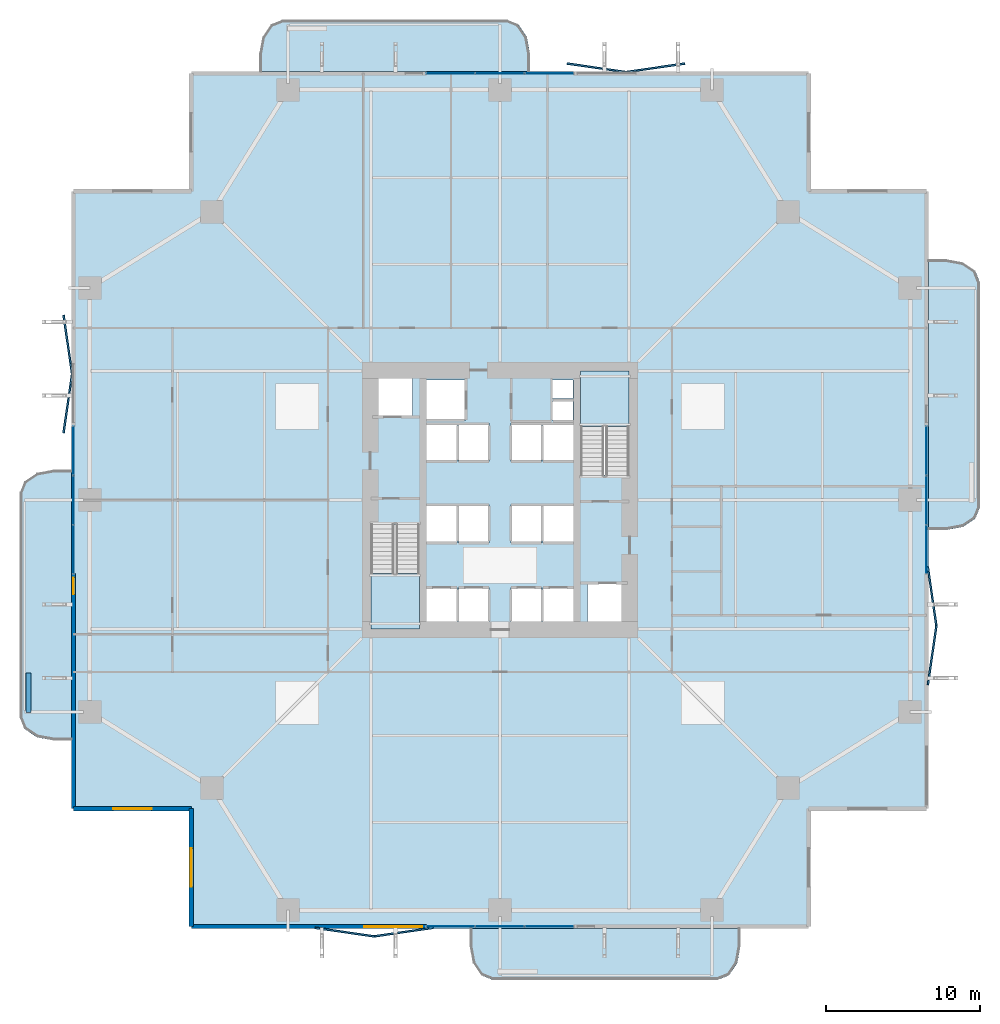
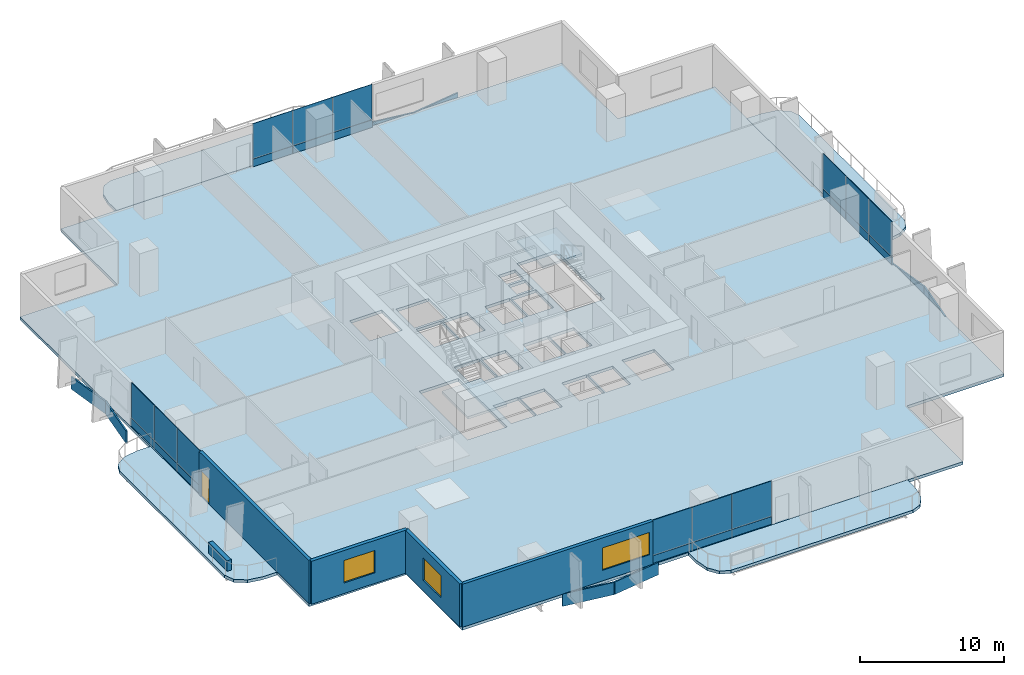
# One storey, part 16 of 24: 32 plates, 7 slabs, 5 walls, 3 windows, 1 door, 4 openings, 6 elements without a shape of their own.
"""IFC4 building model written with IfcOpenShell, lengths in metres."""

from ifc_helpers import new_model, si_unit, direction, frame, frame_2d, origin, origin_2d, place, context, subcontext, project, spatial, polyline, rectangle, outline, extrude, material, layer, layer_set, type_object, element, fill, aggregate, save


model = new_model("IFC4")

# Units and contexts
model_context = context("Model", 3, precision=1e-05, world=origin(), true_north=direction((0.0, 1.0)))
body_context = subcontext(model_context, "Body", "Model", "MODEL_VIEW")
ifc_project = project(units=[si_unit("LENGTHUNIT", "METRE"), si_unit("AREAUNIT", "SQUARE_METRE"), si_unit("VOLUMEUNIT", "CUBIC_METRE"), si_unit("PLANEANGLEUNIT", "RADIAN"), si_unit("MASSUNIT", "GRAM", prefix="KILO")], contexts=[model_context])

# Site, building, storey
site_placement = place(None, origin())
site = spatial("IfcSite", under=ifc_project, at=site_placement, CompositionType="ELEMENT")
building_placement = place(site_placement, origin())
building = spatial("IfcBuilding", under=site, at=building_placement, Name="Belovzor Exchange Tower", CompositionType="ELEMENT")
storey_placement = place(building_placement, frame((0.0, 0.0, 72.89990234375)))
storey = spatial("IfcBuildingStorey", under=building, at=storey_placement, Name="L17", CompositionType="ELEMENT", Elevation=72.89990234375)

# Slab
ifc_material_1 = material(Name="Concrete C40/50", Category="concrete")
ifc_layer_1 = layer(ifc_material_1, 0.25)
ifc_layer_set_1 = layer_set([ifc_layer_1], Name="Concrete C40/50")
slab_type_1 = type_object("IfcSlabType", Name="Composite Concrete Floor Deck Slab 250", PredefinedType="FLOOR", material=ifc_layer_set_1)
slab_1_placement = place(storey_placement, frame((0.0, 0.0, -0.25)))
element("IfcSlab", 1, at=slab_1_placement, inside=storey, type_object=slab_type_1, Name="SL-F250 Structural Slab L17", PredefinedType="FLOOR", context=body_context, shape_type="SweptSolid", body=[
    extrude(outline(polyline([(8.699951171875, 0.89990234375), (48.89990234375, 0.89990234375), (48.89990234375, 8.699951171875), (56.699951171875, 8.699951171875), (56.699951171875, 48.89990234375), (48.89990234375, 48.89990234375), (48.89990234375, 56.699951171875), (8.699951171875, 56.699951171875), (8.699951171875, 48.89990234375), (0.89990234375, 48.89990234375), (0.89990234375, 8.699951171875), (8.699951171875, 8.699951171875), (8.699951171875, 0.89990234375)]), holes=[polyline([(20.39990234375, 27.175048828125), (20.39990234375, 20.39990234375), (23.550048828125, 20.39990234375), (23.550048828125, 27.175048828125), (20.39990234375, 27.175048828125)]), polyline([(37.199951171875, 30.425048828125), (37.199951171875, 37.199951171875), (34.050048828125, 37.199951171875), (34.050048828125, 30.425048828125), (37.199951171875, 30.425048828125)]), polyline([(20.5, 34.199951171875), (23.10009765625, 34.199951171875), (23.10009765625, 37.0), (20.5, 37.0), (20.5, 34.199951171875)]), polyline([(34.5, 20.60009765625), (37.10009765625, 20.60009765625), (37.10009765625, 23.39990234375), (34.5, 23.39990234375), (34.5, 20.60009765625)]), polyline([(24.0, 34.0), (26.60009765625, 34.0), (26.60009765625, 36.60009765625), (24.0, 36.60009765625), (24.0, 34.0)]), polyline([(24.0, 20.60009765625), (26.0, 20.60009765625), (26.0, 23.10009765625), (24.0, 23.10009765625), (24.0, 20.60009765625)]), polyline([(26.10009765625, 20.60009765625), (28.10009765625, 20.60009765625), (28.10009765625, 23.10009765625), (26.10009765625, 23.10009765625), (26.10009765625, 20.60009765625)]), polyline([(29.5, 20.60009765625), (31.5, 20.60009765625), (31.5, 23.10009765625), (29.5, 23.10009765625), (29.5, 20.60009765625)]), polyline([(31.60009765625, 20.60009765625), (33.60009765625, 20.60009765625), (33.60009765625, 23.10009765625), (31.60009765625, 23.10009765625), (31.60009765625, 20.60009765625)]), polyline([(24.0, 26.0), (26.0, 26.0), (26.0, 28.5), (24.0, 28.5), (24.0, 26.0)]), polyline([(26.10009765625, 26.0), (28.10009765625, 26.0), (28.10009765625, 28.5), (26.10009765625, 28.5), (26.10009765625, 26.0)]), polyline([(29.5, 26.0), (31.5, 26.0), (31.5, 28.5), (29.5, 28.5), (29.5, 26.0)]), polyline([(31.60009765625, 26.0), (33.60009765625, 26.0), (33.60009765625, 28.5), (31.60009765625, 28.5), (31.60009765625, 26.0)]), polyline([(24.0, 31.300048828125), (26.0, 31.300048828125), (26.0, 33.800048828125), (24.0, 33.800048828125), (24.0, 31.300048828125)]), polyline([(26.10009765625, 31.300048828125), (28.10009765625, 31.300048828125), (28.10009765625, 33.800048828125), (26.10009765625, 33.800048828125), (26.10009765625, 31.300048828125)]), polyline([(29.5, 31.300048828125), (31.5, 31.300048828125), (31.5, 33.800048828125), (29.5, 33.800048828125), (29.5, 31.300048828125)]), polyline([(31.60009765625, 31.300048828125), (33.60009765625, 31.300048828125), (33.60009765625, 33.800048828125), (31.60009765625, 33.800048828125), (31.60009765625, 31.300048828125)]), polyline([(32.199951171875, 34.0), (33.550048828125, 34.0), (33.550048828125, 35.199951171875), (32.199951171875, 35.199951171875), (32.199951171875, 34.0)]), polyline([(32.199951171875, 35.39990234375), (33.550048828125, 35.39990234375), (33.550048828125, 36.60009765625), (32.199951171875, 36.60009765625), (32.199951171875, 35.39990234375)])]), origin(), (0.0, 0.0, 1.0), 0.25),
])

# Plates
ifc_material_2 = material(Name="Extruded Architectural Terracotta", Category="masonry")
ifc_layer_2 = layer(ifc_material_2, 0.1201171875)
ifc_layer_set_2 = layer_set([ifc_layer_2], Name="Extruded Architectural Terracotta")
plate_type_1 = type_object("IfcPlateType", Name="Folded Zigzag Terracotta Spandrel Louvre 80", PredefinedType="USERDEFINED", material=ifc_layer_set_2)
for number, where, z_axis, x_axis, name in (
    (2, (18.699951171875, 0.6650390625, -1.03515625), (0.0, 0.0, 1.0), (0.989686419138, -0.143250800258, 0.0), "LVR-ZZ1 Zigzag Terracotta Spandrel Louvre L17 S1A"),
    (3, (22.5, 0.6650390625, -1.03515625), (0.0, 0.0, 1.0), (0.989686419138, 0.143250800258, 0.0), "LVR-ZZ1 Zigzag Terracotta Spandrel Louvre L17 S1B"),
    (4, (56.93505859375, 18.699951171875, -1.03515625), (0.0, 0.0, 1.0), (0.143250800258, 0.989686419138, 0.0), "LVR-ZZ1 Zigzag Terracotta Spandrel Louvre L17 E1A"),
    (5, (56.93505859375, 22.5, -1.03515625), (0.0, 0.0, 1.0), (-0.143250800258, 0.989686419138, 0.0), "LVR-ZZ1 Zigzag Terracotta Spandrel Louvre L17 E1B"),
    (6, (35.10009765625, 56.93505859375, -1.03515625), (0.0, 0.0, 1.0), (0.989686419138, -0.143250800258, 0.0), "LVR-ZZ1 Zigzag Terracotta Spandrel Louvre L17 N2A"),
    (7, (38.89990234375, 56.93505859375, -1.03515625), (0.0, 0.0, 1.0), (0.989686419138, 0.143250800258, 0.0), "LVR-ZZ1 Zigzag Terracotta Spandrel Louvre L17 N2B"),
    (8, (0.6650390625, 35.10009765625, -1.03515625), (0.0, 0.0, 1.0), (0.143250800258, 0.989686419138, 0.0), "LVR-ZZ1 Zigzag Terracotta Spandrel Louvre L17 W2A"),
    (9, (0.6650390625, 38.89990234375, -1.03515625), (0.0, 0.0, 1.0), (-0.143250800258, 0.989686419138, 0.0), "LVR-ZZ1 Zigzag Terracotta Spandrel Louvre L17 W2B"),
):
    element("IfcPlate", number, at=place(storey_placement, frame(where, z_axis=z_axis, x_axis=x_axis)), inside=storey, type_object=plate_type_1, Name=name, ObjectType="SPANDREL_LOUVRE", PredefinedType="USERDEFINED", context=body_context, shape_type="SweptSolid", body=[
        extrude(rectangle(XDim=3.919921875, YDim=0.1201171875, at=origin_2d()), origin(), (0.0, 0.0, 1.0), 1.050048828125),
    ])

# Curtain wall, plates
ifc_material_3 = material(Name="Anodised Aluminium Framing", Category="aluminium")
ifc_layer_3 = layer(ifc_material_3, 0.179931640625)
ifc_layer_set_3 = layer_set([ifc_layer_3], Name="Anodised Aluminium Framing")
curtain_wall_type = type_object("IfcCurtainWallType", Name="Recessed Loggia Low-Iron Triple-Glazed Curtain Wall", PredefinedType="NOTDEFINED", material=ifc_layer_set_3)
curtain_wall_1_placement = place(storey_placement, origin())
curtain_wall_1 = element("IfcCurtainWall", 10, at=curtain_wall_1_placement, inside=storey, type_object=curtain_wall_type, Name="CW3 Recessed Loggia Low-Iron Triple-Glazed Curtain Wall L17", PredefinedType="NOTDEFINED")
ifc_material_4 = material(Name="Solar-Control Triple Glazing", Category="glass")
ifc_layer_4 = layer(ifc_material_4, 0.0439453125)
ifc_layer_set_4 = layer_set([ifc_layer_4], Name="Solar-Control Triple Glazing")
plate_type_2 = type_object("IfcPlateType", Name="Insulated Solar Glazing Curtain Panel 44", PredefinedType="CURTAIN_PANEL", material=ifc_layer_set_4)
plate_1_placement = place(storey_placement, frame((32.0, 1.030029296875, 0.652099609375), z_axis=(0.0, 0.0, 1.0), x_axis=(-1.0, 0.0, 0.0)))
plate_1 = element("IfcPlate", 11, at=plate_1_placement, type_object=plate_type_2, Name="GLZ-44 Glazed Curtain Panel 1", PredefinedType="CURTAIN_PANEL", context=body_context, shape_type="SweptSolid", body=[
    extrude(rectangle(XDim=3.18408203125, YDim=0.0439453125, at=origin_2d()), origin(), (0.0, 0.0, 1.0), 2.998046875),
])
plate_2_placement = place(storey_placement, frame((28.800048828125, 1.030029296875, 0.652099609375), z_axis=(0.0, 0.0, 1.0), x_axis=(-1.0, 0.0, 0.0)))
plate_2 = element("IfcPlate", 12, at=plate_2_placement, type_object=plate_type_2, Name="GLZ-44 Glazed Curtain Panel 2", PredefinedType="CURTAIN_PANEL", context=body_context, shape_type="SweptSolid", body=[
    extrude(rectangle(XDim=3.18408203125, YDim=0.0439453125, at=origin_2d()), origin(), (0.0, 0.0, 1.0), 2.998046875),
])
plate_3_placement = place(storey_placement, frame((25.60009765625, 1.030029296875, 0.652099609375), z_axis=(0.0, 0.0, 1.0), x_axis=(-1.0, 0.0, 0.0)))
plate_3 = element("IfcPlate", 13, at=plate_3_placement, type_object=plate_type_2, Name="GLZ-44 Glazed Curtain Panel 3", PredefinedType="CURTAIN_PANEL", context=body_context, shape_type="SweptSolid", body=[
    extrude(rectangle(XDim=3.18408203125, YDim=0.0439453125, at=origin_2d()), origin(), (0.0, 0.0, 1.0), 2.998046875),
])

curtain_wall_2_placement = place(storey_placement, origin())
curtain_wall_2 = element("IfcCurtainWall", 14, at=curtain_wall_2_placement, inside=storey, type_object=curtain_wall_type, Name="CW3 Recessed Loggia Low-Iron Triple-Glazed Curtain Wall L17", PredefinedType="NOTDEFINED")
plate_4_placement = place(storey_placement, frame((25.60009765625, 56.570068359375, 0.652099609375), z_axis=(0.0, 0.0, 1.0), x_axis=(1.0, 0.0, 0.0)))
plate_4 = element("IfcPlate", 15, at=plate_4_placement, type_object=plate_type_2, Name="GLZ-44 Glazed Curtain Panel 1", PredefinedType="CURTAIN_PANEL", context=body_context, shape_type="SweptSolid", body=[
    extrude(rectangle(XDim=3.18408203125, YDim=0.0439453125, at=origin_2d()), origin(), (0.0, 0.0, 1.0), 2.998046875),
])
plate_5_placement = place(storey_placement, frame((28.800048828125, 56.570068359375, 0.652099609375), z_axis=(0.0, 0.0, 1.0), x_axis=(1.0, 0.0, 0.0)))
plate_5 = element("IfcPlate", 16, at=plate_5_placement, type_object=plate_type_2, Name="GLZ-44 Glazed Curtain Panel 2", PredefinedType="CURTAIN_PANEL", context=body_context, shape_type="SweptSolid", body=[
    extrude(rectangle(XDim=3.18408203125, YDim=0.0439453125, at=origin_2d()), origin(), (0.0, 0.0, 1.0), 2.998046875),
])
plate_6_placement = place(storey_placement, frame((32.0, 56.570068359375, 0.652099609375), z_axis=(0.0, 0.0, 1.0), x_axis=(1.0, 0.0, 0.0)))
plate_6 = element("IfcPlate", 17, at=plate_6_placement, type_object=plate_type_2, Name="GLZ-44 Glazed Curtain Panel 3", PredefinedType="CURTAIN_PANEL", context=body_context, shape_type="SweptSolid", body=[
    extrude(rectangle(XDim=3.18408203125, YDim=0.0439453125, at=origin_2d()), origin(), (0.0, 0.0, 1.0), 2.998046875),
])

curtain_wall_3_placement = place(storey_placement, origin())
curtain_wall_3 = element("IfcCurtainWall", 18, at=curtain_wall_3_placement, inside=storey, type_object=curtain_wall_type, Name="CW3 Recessed Loggia Low-Iron Triple-Glazed Curtain Wall L17", PredefinedType="NOTDEFINED")
plate_7_placement = place(storey_placement, frame((1.030029296875, 25.60009765625, 0.652099609375), z_axis=(0.0, 0.0, 1.0), x_axis=(0.0, 1.0, 0.0)))
plate_7 = element("IfcPlate", 19, at=plate_7_placement, type_object=plate_type_2, Name="GLZ-44 Glazed Curtain Panel 1", PredefinedType="CURTAIN_PANEL", context=body_context, shape_type="SweptSolid", body=[
    extrude(rectangle(XDim=3.18408203125, YDim=0.0439453125, at=origin_2d()), origin(), (0.0, 0.0, 1.0), 2.998046875),
])
plate_8_placement = place(storey_placement, frame((1.030029296875, 28.800048828125, 0.652099609375), z_axis=(0.0, 0.0, 1.0), x_axis=(0.0, 1.0, 0.0)))
plate_8 = element("IfcPlate", 20, at=plate_8_placement, type_object=plate_type_2, Name="GLZ-44 Glazed Curtain Panel 2", PredefinedType="CURTAIN_PANEL", context=body_context, shape_type="SweptSolid", body=[
    extrude(rectangle(XDim=3.18408203125, YDim=0.0439453125, at=origin_2d()), origin(), (0.0, 0.0, 1.0), 2.998046875),
])
plate_9_placement = place(storey_placement, frame((1.030029296875, 32.0, 0.652099609375), z_axis=(0.0, 0.0, 1.0), x_axis=(0.0, 1.0, 0.0)))
plate_9 = element("IfcPlate", 21, at=plate_9_placement, type_object=plate_type_2, Name="GLZ-44 Glazed Curtain Panel 3", PredefinedType="CURTAIN_PANEL", context=body_context, shape_type="SweptSolid", body=[
    extrude(rectangle(XDim=3.18408203125, YDim=0.0439453125, at=origin_2d()), origin(), (0.0, 0.0, 1.0), 2.998046875),
])

curtain_wall_4_placement = place(storey_placement, origin())
curtain_wall_4 = element("IfcCurtainWall", 22, at=curtain_wall_4_placement, inside=storey, type_object=curtain_wall_type, Name="CW3 Recessed Loggia Low-Iron Triple-Glazed Curtain Wall L17", PredefinedType="NOTDEFINED")
plate_10_placement = place(storey_placement, frame((56.570068359375, 32.0, 0.652099609375), z_axis=(0.0, 0.0, 1.0), x_axis=(0.0, -1.0, 0.0)))
plate_10 = element("IfcPlate", 23, at=plate_10_placement, type_object=plate_type_2, Name="GLZ-44 Glazed Curtain Panel 1", PredefinedType="CURTAIN_PANEL", context=body_context, shape_type="SweptSolid", body=[
    extrude(rectangle(XDim=3.18408203125, YDim=0.0439453125, at=origin_2d()), origin(), (0.0, 0.0, 1.0), 2.998046875),
])
plate_11_placement = place(storey_placement, frame((56.570068359375, 28.800048828125, 0.652099609375), z_axis=(0.0, 0.0, 1.0), x_axis=(0.0, -1.0, 0.0)))
plate_11 = element("IfcPlate", 24, at=plate_11_placement, type_object=plate_type_2, Name="GLZ-44 Glazed Curtain Panel 2", PredefinedType="CURTAIN_PANEL", context=body_context, shape_type="SweptSolid", body=[
    extrude(rectangle(XDim=3.18408203125, YDim=0.0439453125, at=origin_2d()), origin(), (0.0, 0.0, 1.0), 2.998046875),
])
plate_12_placement = place(storey_placement, frame((56.570068359375, 25.60009765625, 0.652099609375), z_axis=(0.0, 0.0, 1.0), x_axis=(0.0, -1.0, 0.0)))
plate_12 = element("IfcPlate", 25, at=plate_12_placement, type_object=plate_type_2, Name="GLZ-44 Glazed Curtain Panel 3", PredefinedType="CURTAIN_PANEL", context=body_context, shape_type="SweptSolid", body=[
    extrude(rectangle(XDim=3.18408203125, YDim=0.0439453125, at=origin_2d()), origin(), (0.0, 0.0, 1.0), 2.998046875),
])

# Stair, slab
ifc_material_5 = material(Name="Concrete C40/50", Category="concrete")
stair_type = type_object("IfcStairType", Name="Reinforced Concrete Dogleg Escape Stair 1350", PredefinedType="HALF_TURN_STAIR", material=ifc_material_5)
stair_1_placement = place(storey_placement, origin())
stair_1 = element("IfcStair", 26, at=stair_1_placement, inside=storey, type_object=stair_type, Name="L17 ST-1", PredefinedType="HALF_TURN_STAIR")
ifc_material_6 = material(Name="Concrete C40/50", Category="concrete")
ifc_layer_5 = layer(ifc_material_6, 0.199951171875)
ifc_layer_set_5 = layer_set([ifc_layer_5], Name="Concrete C40/50")
slab_type_2 = type_object("IfcSlabType", Name="Reinforced Concrete Stair Half-Landing Slab 200", PredefinedType="LANDING", material=ifc_layer_set_5)
slab_2_placement = place(storey_placement, frame((0.0, 0.0, 1.75)))
slab_2 = element("IfcSlab", 27, at=slab_2_placement, type_object=slab_type_2, Name="ST-1 landing 1", PredefinedType="LANDING", context=body_context, shape_type="SweptSolid", body=[
    extrude(outline(polyline([(20.39990234375, 24.010009765625), (20.39990234375, 20.39990234375), (23.550048828125, 20.39990234375), (23.550048828125, 24.010009765625), (20.39990234375, 24.010009765625)])), origin(), (0.0, 0.0, 1.0), 0.2001953125),
])
aggregate(stair_1, [slab_2])

stair_2_placement = place(storey_placement, origin())
stair_2 = element("IfcStair", 28, at=stair_2_placement, inside=storey, type_object=stair_type, Name="L17 ST-2", PredefinedType="HALF_TURN_STAIR")
slab_3_placement = place(storey_placement, frame((0.0, 0.0, 1.75)))
slab_3 = element("IfcSlab", 29, at=slab_3_placement, type_object=slab_type_2, Name="ST-2 landing 1", PredefinedType="LANDING", context=body_context, shape_type="SweptSolid", body=[
    extrude(outline(polyline([(37.199951171875, 33.590087890625), (37.199951171875, 37.199951171875), (34.050048828125, 37.199951171875), (34.050048828125, 33.590087890625), (37.199951171875, 33.590087890625)])), origin(), (0.0, 0.0, 1.0), 0.2001953125),
])
aggregate(stair_2, [slab_3])

# Plate
ifc_material_7 = material(Name="Extruded Architectural Terracotta", Category="masonry")
ifc_layer_6 = layer(ifc_material_7, 0.090087890625)
ifc_layer_set_6 = layer_set([ifc_layer_6], Name="Extruded Architectural Terracotta")
plate_type_3 = type_object("IfcPlateType", Name="Terracotta Shadow-Box Spandrel Panel 90", PredefinedType="CURTAIN_PANEL", material=ifc_layer_set_6)
plate_13_placement = place(storey_placement, frame((32.0, 1.030029296875, 0.000244140625), z_axis=(0.0, 0.0, 1.0), x_axis=(-1.0, 0.0, 0.0)))
plate_13 = element("IfcPlate", 30, at=plate_13_placement, type_object=plate_type_3, Name="SPD-90 Spandrel Panel 1", PredefinedType="CURTAIN_PANEL", context=body_context, shape_type="SweptSolid", body=[
    extrude(rectangle(XDim=3.18408203125, YDim=0.090087890625, at=origin_2d()), origin(), (0.0, 0.0, 1.0), 0.64794921875),
])

plate_14_placement = place(storey_placement, frame((28.800048828125, 1.030029296875, 0.000244140625), z_axis=(0.0, 0.0, 1.0), x_axis=(-1.0, 0.0, 0.0)))
plate_14 = element("IfcPlate", 31, at=plate_14_placement, type_object=plate_type_3, Name="SPD-90 Spandrel Panel 2", PredefinedType="CURTAIN_PANEL", context=body_context, shape_type="SweptSolid", body=[
    extrude(rectangle(XDim=3.18408203125, YDim=0.090087890625, at=origin_2d()), origin(), (0.0, 0.0, 1.0), 0.64794921875),
])

plate_15_placement = place(storey_placement, frame((25.60009765625, 1.030029296875, 0.000244140625), z_axis=(0.0, 0.0, 1.0), x_axis=(-1.0, 0.0, 0.0)))
plate_15 = element("IfcPlate", 32, at=plate_15_placement, type_object=plate_type_3, Name="SPD-90 Spandrel Panel 3", PredefinedType="CURTAIN_PANEL", context=body_context, shape_type="SweptSolid", body=[
    extrude(rectangle(XDim=3.18408203125, YDim=0.090087890625, at=origin_2d()), origin(), (0.0, 0.0, 1.0), 0.64794921875),
])

aggregate(curtain_wall_1, [plate_13, plate_1, plate_14, plate_2, plate_15, plate_3])

plate_16_placement = place(storey_placement, frame((25.60009765625, 56.570068359375, 0.000244140625), z_axis=(0.0, 0.0, 1.0), x_axis=(1.0, 0.0, 0.0)))
plate_16 = element("IfcPlate", 33, at=plate_16_placement, type_object=plate_type_3, Name="SPD-90 Spandrel Panel 1", PredefinedType="CURTAIN_PANEL", context=body_context, shape_type="SweptSolid", body=[
    extrude(rectangle(XDim=3.18408203125, YDim=0.090087890625, at=origin_2d()), origin(), (0.0, 0.0, 1.0), 0.64794921875),
])

plate_17_placement = place(storey_placement, frame((28.800048828125, 56.570068359375, 0.000244140625), z_axis=(0.0, 0.0, 1.0), x_axis=(1.0, 0.0, 0.0)))
plate_17 = element("IfcPlate", 34, at=plate_17_placement, type_object=plate_type_3, Name="SPD-90 Spandrel Panel 2", PredefinedType="CURTAIN_PANEL", context=body_context, shape_type="SweptSolid", body=[
    extrude(rectangle(XDim=3.18408203125, YDim=0.090087890625, at=origin_2d()), origin(), (0.0, 0.0, 1.0), 0.64794921875),
])

plate_18_placement = place(storey_placement, frame((32.0, 56.570068359375, 0.000244140625), z_axis=(0.0, 0.0, 1.0), x_axis=(1.0, 0.0, 0.0)))
plate_18 = element("IfcPlate", 35, at=plate_18_placement, type_object=plate_type_3, Name="SPD-90 Spandrel Panel 3", PredefinedType="CURTAIN_PANEL", context=body_context, shape_type="SweptSolid", body=[
    extrude(rectangle(XDim=3.18408203125, YDim=0.090087890625, at=origin_2d()), origin(), (0.0, 0.0, 1.0), 0.64794921875),
])

aggregate(curtain_wall_2, [plate_16, plate_4, plate_17, plate_5, plate_18, plate_6])

plate_19_placement = place(storey_placement, frame((1.030029296875, 25.60009765625, 0.000244140625), z_axis=(0.0, 0.0, 1.0), x_axis=(0.0, 1.0, 0.0)))
plate_19 = element("IfcPlate", 36, at=plate_19_placement, type_object=plate_type_3, Name="SPD-90 Spandrel Panel 1", PredefinedType="CURTAIN_PANEL", context=body_context, shape_type="SweptSolid", body=[
    extrude(rectangle(XDim=3.18408203125, YDim=0.090087890625, at=origin_2d()), origin(), (0.0, 0.0, 1.0), 0.64794921875),
])

plate_20_placement = place(storey_placement, frame((1.030029296875, 28.800048828125, 0.000244140625), z_axis=(0.0, 0.0, 1.0), x_axis=(0.0, 1.0, 0.0)))
plate_20 = element("IfcPlate", 37, at=plate_20_placement, type_object=plate_type_3, Name="SPD-90 Spandrel Panel 2", PredefinedType="CURTAIN_PANEL", context=body_context, shape_type="SweptSolid", body=[
    extrude(rectangle(XDim=3.18408203125, YDim=0.090087890625, at=origin_2d()), origin(), (0.0, 0.0, 1.0), 0.64794921875),
])

plate_21_placement = place(storey_placement, frame((1.030029296875, 32.0, 0.000244140625), z_axis=(0.0, 0.0, 1.0), x_axis=(0.0, 1.0, 0.0)))
plate_21 = element("IfcPlate", 38, at=plate_21_placement, type_object=plate_type_3, Name="SPD-90 Spandrel Panel 3", PredefinedType="CURTAIN_PANEL", context=body_context, shape_type="SweptSolid", body=[
    extrude(rectangle(XDim=3.18408203125, YDim=0.090087890625, at=origin_2d()), origin(), (0.0, 0.0, 1.0), 0.64794921875),
])

aggregate(curtain_wall_3, [plate_19, plate_7, plate_20, plate_8, plate_21, plate_9])

plate_22_placement = place(storey_placement, frame((56.570068359375, 32.0, 0.000244140625), z_axis=(0.0, 0.0, 1.0), x_axis=(0.0, -1.0, 0.0)))
plate_22 = element("IfcPlate", 39, at=plate_22_placement, type_object=plate_type_3, Name="SPD-90 Spandrel Panel 1", PredefinedType="CURTAIN_PANEL", context=body_context, shape_type="SweptSolid", body=[
    extrude(rectangle(XDim=3.18408203125, YDim=0.090087890625, at=origin_2d()), origin(), (0.0, 0.0, 1.0), 0.64794921875),
])

plate_23_placement = place(storey_placement, frame((56.570068359375, 28.800048828125, 0.000244140625), z_axis=(0.0, 0.0, 1.0), x_axis=(0.0, -1.0, 0.0)))
plate_23 = element("IfcPlate", 40, at=plate_23_placement, type_object=plate_type_3, Name="SPD-90 Spandrel Panel 2", PredefinedType="CURTAIN_PANEL", context=body_context, shape_type="SweptSolid", body=[
    extrude(rectangle(XDim=3.18408203125, YDim=0.090087890625, at=origin_2d()), origin(), (0.0, 0.0, 1.0), 0.64794921875),
])

plate_24_placement = place(storey_placement, frame((56.570068359375, 25.60009765625, 0.000244140625), z_axis=(0.0, 0.0, 1.0), x_axis=(0.0, -1.0, 0.0)))
plate_24 = element("IfcPlate", 41, at=plate_24_placement, type_object=plate_type_3, Name="SPD-90 Spandrel Panel 3", PredefinedType="CURTAIN_PANEL", context=body_context, shape_type="SweptSolid", body=[
    extrude(rectangle(XDim=3.18408203125, YDim=0.090087890625, at=origin_2d()), origin(), (0.0, 0.0, 1.0), 0.64794921875),
])

aggregate(curtain_wall_4, [plate_22, plate_10, plate_23, plate_11, plate_24, plate_12])

# Slabs
ifc_material_8 = material(Name="Concrete C40/50", Category="concrete")
ifc_layer_7 = layer(ifc_material_8, 0.25)
ifc_layer_set_7 = layer_set([ifc_layer_7], Name="Concrete C40/50")
slab_type_3 = type_object("IfcSlabType", Name="Thermally Broken Planted Balcony Slab 250", PredefinedType="FLOOR", material=ifc_layer_set_7)
slab_4_placement = place(storey_placement, frame((0.0, 0.0, -0.25)))
element("IfcSlab", 42, at=slab_4_placement, inside=storey, type_object=slab_type_3, Name="SL-BAL220 Planted Balcony Loggia L17 South", PredefinedType="FLOOR", context=body_context, shape_type="SweptSolid", body=[
    extrude(outline(polyline([(26.85009765625, 0.9150390625), (26.85009765625, -0.25), (27.051025390625, -1.35009765625), (27.60009765625, -2.155029296875), (28.35009765625, -2.449951171875), (42.949951171875, -2.449951171875), (43.699951171875, -2.155029296875), (44.2490234375, -1.35009765625), (44.449951171875, -0.25), (44.449951171875, 0.9150390625), (26.85009765625, 0.9150390625)])), origin(), (0.0, 0.0, 1.0), 0.25),
])
slab_5_placement = place(storey_placement, frame((0.0, 0.0, -0.25)))
element("IfcSlab", 43, at=slab_5_placement, inside=storey, type_object=slab_type_3, Name="SL-BAL220 Planted Balcony Loggia L17 North", PredefinedType="FLOOR", context=body_context, shape_type="SweptSolid", body=[
    extrude(outline(polyline([(30.75, 56.68505859375), (30.75, 57.85009765625), (30.549072265625, 58.949951171875), (30.0, 59.7548828125), (29.25, 60.050048828125), (14.64990234375, 60.050048828125), (13.89990234375, 59.7548828125), (13.35107421875, 58.949951171875), (13.14990234375, 57.85009765625), (13.14990234375, 56.68505859375), (30.75, 56.68505859375)])), origin(), (0.0, 0.0, 1.0), 0.25),
])
slab_6_placement = place(storey_placement, frame((0.0, 0.0, -0.25)))
element("IfcSlab", 44, at=slab_6_placement, inside=storey, type_object=slab_type_3, Name="SL-BAL220 Planted Balcony Loggia L17 East", PredefinedType="FLOOR", context=body_context, shape_type="SweptSolid", body=[
    extrude(outline(polyline([(56.68505859375, 26.85009765625), (57.85009765625, 26.85009765625), (58.949951171875, 27.051025390625), (59.7548828125, 27.60009765625), (60.050048828125, 28.35009765625), (60.050048828125, 42.949951171875), (59.7548828125, 43.699951171875), (58.949951171875, 44.2490234375), (57.85009765625, 44.449951171875), (56.68505859375, 44.449951171875), (56.68505859375, 26.85009765625)])), origin(), (0.0, 0.0, 1.0), 0.25),
])
slab_7_placement = place(storey_placement, frame((0.0, 0.0, -0.25)))
element("IfcSlab", 45, at=slab_7_placement, inside=storey, type_object=slab_type_3, Name="SL-BAL220 Planted Balcony Loggia L17 West", PredefinedType="FLOOR", context=body_context, shape_type="SweptSolid", body=[
    extrude(outline(polyline([(0.9150390625, 30.75), (-0.25, 30.75), (-1.35009765625, 30.549072265625), (-2.155029296875, 30.0), (-2.449951171875, 29.25), (-2.449951171875, 14.64990234375), (-2.155029296875, 13.89990234375), (-1.35009765625, 13.35107421875), (-0.25, 13.14990234375), (0.9150390625, 13.14990234375), (0.9150390625, 30.75)])), origin(), (0.0, 0.0, 1.0), 0.25),
])

# Wall, opening, window
ifc_material_9 = material(Name="Precast concrete C40/50", Category="concrete")
ifc_layer_8 = layer(ifc_material_9, 0.280029296875)
ifc_layer_set_8 = layer_set([ifc_layer_8], Name="Precast concrete C40/50")
wall_type_1 = type_object("IfcWallType", Name="Precast Concrete Notched Corner Frame Wall 280", PredefinedType="SOLIDWALL", material=ifc_layer_set_8)
wall_1_placement = place(storey_placement, frame((8.699951171875, 1.030029296875, 0.0), z_axis=(0.0, 0.0, 1.0), x_axis=(0.0, 1.0, 0.0)))
wall_1 = element("IfcWall", 46, at=wall_1_placement, inside=storey, type_object=wall_type_1, Name="W-CRN280 Precast Concrete Notched Corner Frame Wall 280 L17", PredefinedType="SOLIDWALL", context=body_context, shape_type="SweptSolid", body=[
    extrude(rectangle(XDim=7.669921875, YDim=0.280029296875, at=frame_2d((3.8349609375, 0.0))), origin(), (0.0, 0.0, 1.0), 3.650146484375),
])
opening_1_placement = place(wall_1_placement, frame((2.5849609375, 0.0, 0.89990234375)))
opening_1 = element("IfcOpeningElement", 47, at=opening_1_placement, cuts=wall_1, Name="Opening WN-CRN250", PredefinedType="OPENING", context=body_context, shape_type="SweptSolid", body=[
    extrude(rectangle(XDim=2.5, YDim=1.89990234375, at=frame_2d((1.25, 0.949951171875))), frame((0.0, 0.14990234375, 0.0), z_axis=(0.0, -1.0, 0.0), x_axis=(1.0, 0.0, 0.0)), (0.0, 0.0, 1.0), 0.300048828125),
])
ifc_material_10 = material(Name="Thermally Broken Aluminium and Triple Glazing", Category="aluminium")
window_type_1 = type_object("IfcWindowType", Name="Streamline Moderne Corner Wrap Ribbon Window 2500x1900", PartitioningType="SINGLE_PANEL", PredefinedType="WINDOW", material=ifc_material_10)
window_1_placement = place(opening_1_placement, origin())
window_1 = element("IfcWindow", 48, at=window_1_placement, inside=storey, type_object=window_type_1, Name="WN-CRN250 Streamline Moderne Corner Wrap Ribbon Window 2500x1900", OverallHeight=1.89990234375, OverallWidth=2.5, PartitioningType="SINGLE_PANEL", PredefinedType="WINDOW", context=body_context, shape_type="SweptSolid", body=[
    extrude(rectangle(XDim=2.5, YDim=1.89990234375, at=frame_2d((1.25, 0.949951171875))), frame((0.0, 0.030029296875, 0.0), z_axis=(0.0, -1.0, 0.0), x_axis=(1.0, 0.0, 0.0)), (0.0, 0.0, 1.0), 0.06005859375),
])
fill(opening_1, window_1)

wall_2_placement = place(storey_placement, frame((8.699951171875, 8.699951171875, 0.0), z_axis=(0.0, 0.0, 1.0), x_axis=(-1.0, 0.0, 0.0)))
wall_2 = element("IfcWall", 49, at=wall_2_placement, inside=storey, type_object=wall_type_1, Name="W-CRN280 Precast Concrete Notched Corner Frame Wall 280 L17", PredefinedType="SOLIDWALL", context=body_context, shape_type="SweptSolid", body=[
    extrude(rectangle(XDim=7.669921875, YDim=0.280029296875, at=frame_2d((3.8349609375, 0.0))), origin(), (0.0, 0.0, 1.0), 3.650146484375),
])
opening_2_placement = place(wall_2_placement, frame((2.5849609375, 0.0, 0.89990234375)))
opening_2 = element("IfcOpeningElement", 50, at=opening_2_placement, cuts=wall_2, Name="Opening WN-CRN250", PredefinedType="OPENING", context=body_context, shape_type="SweptSolid", body=[
    extrude(rectangle(XDim=2.5, YDim=1.89990234375, at=frame_2d((1.25, 0.949951171875))), frame((0.0, 0.14990234375, 0.0), z_axis=(0.0, -1.0, 0.0), x_axis=(1.0, 0.0, 0.0)), (0.0, 0.0, 1.0), 0.300048828125),
])
window_2_placement = place(opening_2_placement, origin())
window_2 = element("IfcWindow", 51, at=window_2_placement, inside=storey, type_object=window_type_1, Name="WN-CRN250 Streamline Moderne Corner Wrap Ribbon Window 2500x1900", OverallHeight=1.89990234375, OverallWidth=2.5, PartitioningType="SINGLE_PANEL", PredefinedType="WINDOW", context=body_context, shape_type="SweptSolid", body=[
    extrude(rectangle(XDim=2.5, YDim=1.89990234375, at=frame_2d((1.25, 0.949951171875))), frame((0.0, 0.030029296875, 0.0), z_axis=(0.0, -1.0, 0.0), x_axis=(1.0, 0.0, 0.0)), (0.0, 0.0, 1.0), 0.06005859375),
])
fill(opening_2, window_2)

ifc_material_11 = material(Name="Precast concrete C40/50", Category="concrete")
ifc_layer_9 = layer(ifc_material_11, 0.260009765625)
ifc_layer_set_9 = layer_set([ifc_layer_9], Name="Precast concrete C40/50")
wall_type_2 = type_object("IfcWallType", Name="Precast Concrete Perimeter Loggia Frame Wall 260", PredefinedType="SOLIDWALL", material=ifc_layer_set_9)
wall_3_placement = place(storey_placement, frame((24.0, 1.030029296875, 0.0), z_axis=(0.0, 0.0, 1.0), x_axis=(-1.0, 0.0, 0.0)))
wall_3 = element("IfcWall", 52, at=wall_3_placement, inside=storey, type_object=wall_type_2, Name="W-EXT260 Precast Concrete Perimeter Loggia Frame Wall 260 L17", PredefinedType="SOLIDWALL", context=body_context, shape_type="SweptSolid", body=[
    extrude(rectangle(XDim=15.300048828125, YDim=0.260009765625, at=frame_2d((7.64990234375, 0.0))), origin(), (0.0, 0.0, 1.0), 3.650146484375),
])
opening_3_placement = place(wall_3_placement, frame((0.25, 0.0, 0.89990234375)))
opening_3 = element("IfcOpeningElement", 53, at=opening_3_placement, cuts=wall_3, Name="Opening WN-RIB380", PredefinedType="OPENING", context=body_context, shape_type="SweptSolid", body=[
    extrude(rectangle(XDim=3.800048828125, YDim=1.89990234375, at=frame_2d((1.89990234375, 0.949951171875))), frame((0.0, 0.139892578125, 0.0), z_axis=(0.0, -1.0, 0.0), x_axis=(1.0, 0.0, 0.0)), (0.0, 0.0, 1.0), 0.280029296875),
])
ifc_material_12 = material(Name="Thermally Broken Aluminium and Triple Glazing", Category="aluminium")
window_type_2 = type_object("IfcWindowType", Name="Streamline Moderne Horizontal Ribbon Window 3800x1900", PartitioningType="SINGLE_PANEL", PredefinedType="WINDOW", material=ifc_material_12)
window_3_placement = place(opening_3_placement, origin())
window_3 = element("IfcWindow", 54, at=window_3_placement, inside=storey, type_object=window_type_2, Name="WN-RIB380 Streamline Moderne Horizontal Ribbon Window 3800x1900", OverallHeight=1.89990234375, OverallWidth=3.800048828125, PartitioningType="SINGLE_PANEL", PredefinedType="WINDOW", context=body_context, shape_type="SweptSolid", body=[
    extrude(rectangle(XDim=3.800048828125, YDim=1.89990234375, at=frame_2d((1.89990234375, 0.949951171875))), frame((0.0, 0.030029296875, 0.0), z_axis=(0.0, -1.0, 0.0), x_axis=(1.0, 0.0, 0.0)), (0.0, 0.0, 1.0), 0.06005859375),
])
fill(opening_3, window_3)

# Wall, opening, door
wall_4_placement = place(storey_placement, frame((1.030029296875, 8.699951171875, 0.0), z_axis=(0.0, 0.0, 1.0), x_axis=(0.0, 1.0, 0.0)))
wall_4 = element("IfcWall", 55, at=wall_4_placement, inside=storey, type_object=wall_type_2, Name="W-EXT260 Precast Concrete Perimeter Loggia Frame Wall 260 L17", PredefinedType="SOLIDWALL", context=body_context, shape_type="SweptSolid", body=[
    extrude(rectangle(XDim=15.300048828125, YDim=0.260009765625, at=frame_2d((7.64990234375, 0.0))), origin(), (0.0, 0.0, 1.0), 3.650146484375),
])
opening_4_placement = place(wall_4_placement, frame((13.949951171875, 0.0, 0.0)))
opening_4 = element("IfcOpeningElement", 56, at=opening_4_placement, cuts=wall_4, Name="Opening D-BAL110", PredefinedType="OPENING", context=body_context, shape_type="SweptSolid", body=[
    extrude(rectangle(XDim=1.10009765625, YDim=2.199951171875, at=frame_2d((0.550048828125, 1.10009765625))), frame((0.0, 0.139892578125, 0.0), z_axis=(0.0, -1.0, 0.0), x_axis=(1.0, 0.0, 0.0)), (0.0, 0.0, 1.0), 0.280029296875),
])
ifc_material_13 = material(Name="Thermally Broken Anodised Aluminium and Laminated Glass", Category="aluminium")
door_type = type_object("IfcDoorType", Name="Planted Loggia Terrace Glazed Door 1100x2200", OperationType="SINGLE_SWING_LEFT", PredefinedType="DOOR", material=ifc_material_13)
door_placement = place(opening_4_placement, origin())
door = element("IfcDoor", 57, at=door_placement, inside=storey, type_object=door_type, Name="D-BAL110 Balcony Terrace Door L17 W", OperationType="SINGLE_SWING_RIGHT", OverallHeight=2.199951171875, OverallWidth=1.10009765625, PredefinedType="DOOR", context=body_context, shape_type="SweptSolid", body=[
    extrude(rectangle(XDim=1.10009765625, YDim=2.199951171875, at=frame_2d((0.550048828125, 1.10009765625))), frame((0.0, 0.02490234375, 0.0), z_axis=(0.0, -1.0, 0.0), x_axis=(1.0, 0.0, 0.0)), (0.0, 0.0, 1.0), 0.050048828125),
])
fill(opening_4, door)

# Wall
ifc_material_14 = material(Name="Precast concrete C40/50", Category="concrete")
ifc_layer_10 = layer(ifc_material_14, 0.35009765625)
ifc_layer_set_10 = layer_set([ifc_layer_10], Name="Precast concrete C40/50")
wall_type_3 = type_object("IfcWallType", Name="Precast Concrete Structural Tree Planter Trough 350", PredefinedType="PARAPET", material=ifc_layer_set_10)
wall_5_placement = place(storey_placement, frame((-1.89990234375, 14.949951171875, 0.0), z_axis=(0.0, 0.0, 1.0), x_axis=(0.0, 1.0, 0.0)))
element("IfcWall", 58, at=wall_5_placement, inside=storey, type_object=wall_type_3, Name="PT-350 Precast Concrete Structural Tree Planter Trough 350 L17", PredefinedType="PARAPET", context=body_context, shape_type="SweptSolid", body=[
    extrude(rectangle(XDim=2.60009765625, YDim=0.35009765625, at=frame_2d((1.300048828125, 0.0))), origin(), (0.0, 0.0, 1.0), 0.900146484375),
])

save(model, "model.ifc")
